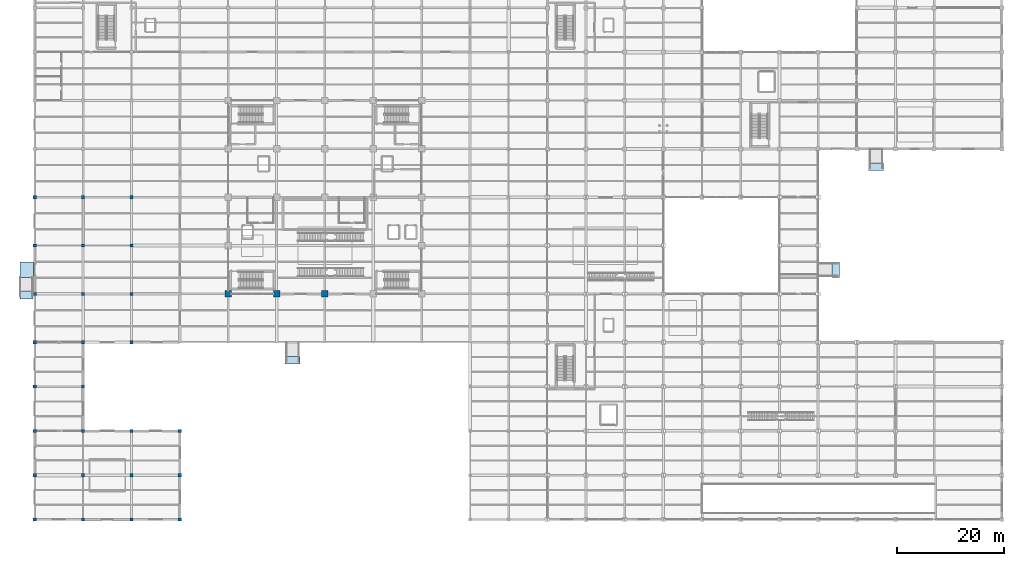
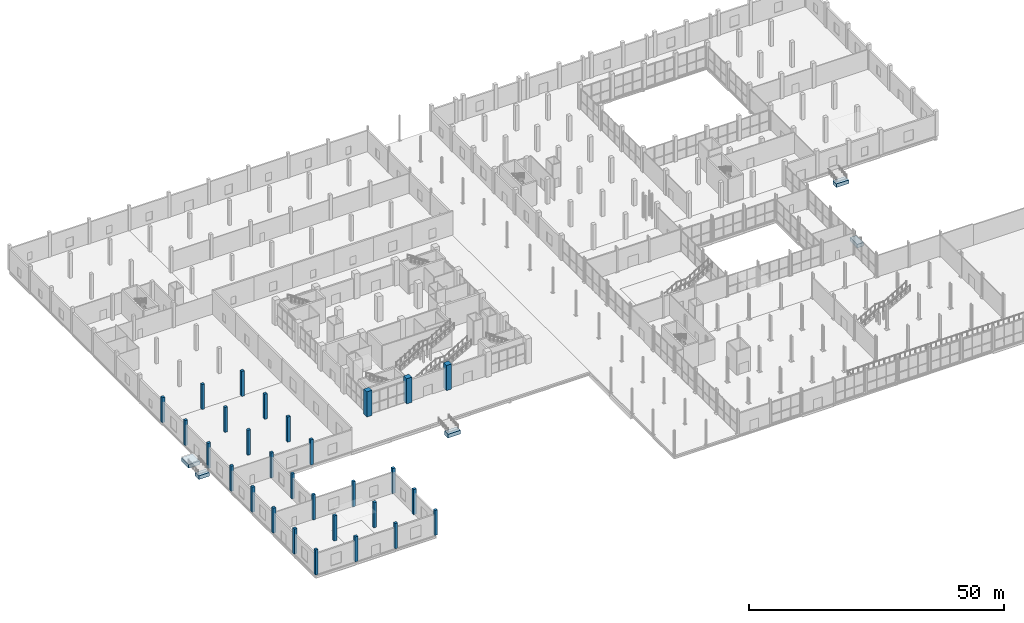
# One storey, part 1 of 144: 29 columns, 5 footings.
"""IFC4 building model written with IfcOpenShell, lengths in metres."""

from ifc_helpers import new_model, si_unit, direction, frame, origin, origin_2d, place, context, subcontext, project, spatial, rectangle, extrude, material, material_profile, profile_set, type_object, element, save


model = new_model("IFC4")

# Units and contexts
model_context = context("Model", 3, precision=1e-05, world=origin(), true_north=direction((0.0, 1.0)))
body_context = subcontext(model_context, "Body", "Model", "MODEL_VIEW")
ifc_project = project(units=[si_unit("LENGTHUNIT", "METRE"), si_unit("AREAUNIT", "SQUARE_METRE"), si_unit("VOLUMEUNIT", "CUBIC_METRE"), si_unit("PLANEANGLEUNIT", "RADIAN"), si_unit("MASSUNIT", "GRAM", prefix="KILO")], contexts=[model_context])

# Site, building, storey
site_placement = place(None, origin())
site = spatial("IfcSite", under=ifc_project, at=site_placement, CompositionType="ELEMENT")
building_placement = place(site_placement, origin())
building = spatial("IfcBuilding", under=site, at=building_placement, Name="Sundgate Opera House", CompositionType="ELEMENT")
storey_placement = place(building_placement, origin())
storey = spatial("IfcBuildingStorey", under=building, at=storey_placement, Name="L00", CompositionType="ELEMENT", Elevation=0.0)

# Footings
ifc_material_1 = material(Name="Concrete C35/45", Category="concrete")
footing_type = type_object("IfcFootingType", Name="FT-PAD-2500x2500x850", PredefinedType="PAD_FOOTING", material=ifc_material_1)
for number, where, z_axis, x_axis, name in (
    (1, (48.0, 29.699951171875, -1.380126953125), (0.0, 0.0, 1.0), (1.0, 0.0, 0.0), "South Forecourt Ramp Threshold Footing"),
    (2, (156.60009765625, 65.699951171875, -1.380126953125), (0.0, 0.0, 1.0), (1.0, 0.0, 0.0), "Conservatory Quay Ramp Threshold Footing"),
):
    element("IfcFooting", number, at=place(storey_placement, frame(where, z_axis=z_axis, x_axis=x_axis)), inside=storey, type_object=footing_type, Name=name, PredefinedType="PAD_FOOTING", context=body_context, shape_type="SweptSolid", body=[
        extrude(rectangle(XDim=2.800048828125, YDim=1.39990234375, at=origin_2d()), origin(), (0.0, 0.0, 1.0), 0.85009765625),
    ])
footing_1_placement = place(storey_placement, frame((-1.550048828125, 41.800048828125, -1.380126953125), z_axis=(0.0, 0.0, 1.0), x_axis=(1.0, 0.0, 0.0)))
element("IfcFooting", 3, at=footing_1_placement, inside=storey, type_object=footing_type, Name="West Harbour Ramp Threshold Footing", PredefinedType="PAD_FOOTING", context=body_context, shape_type="SweptSolid", body=[
    extrude(rectangle(XDim=2.39990234375, YDim=1.39990234375, at=origin_2d()), origin(), (0.0, 0.0, 1.0), 0.85009765625),
])
footing_2_placement = place(storey_placement, frame((-1.47998046875, 46.5, -1.10009765625), z_axis=(0.0, 0.0, 1.0), x_axis=(1.0, 0.0, 0.0)))
element("IfcFooting", 4, at=footing_2_placement, inside=storey, type_object=footing_type, Name="West Harbour Exit Landing Support Footing", PredefinedType="PAD_FOOTING", context=body_context, shape_type="SweptSolid", body=[
    extrude(rectangle(XDim=2.5400390625, YDim=2.800048828125, at=origin_2d()), origin(), (0.0, 0.0, 1.0), 0.85009765625),
])
footing_3_placement = place(storey_placement, frame((149.10009765625, 46.5, -1.380126953125), z_axis=(0.0, 0.0, 1.0), x_axis=(1.0, 0.0, 0.0)))
element("IfcFooting", 5, at=footing_3_placement, inside=storey, type_object=footing_type, Name="East Quay Ramp Threshold Footing", PredefinedType="PAD_FOOTING", context=body_context, shape_type="SweptSolid", body=[
    extrude(rectangle(XDim=1.39990234375, YDim=2.800048828125, at=origin_2d()), origin(), (0.0, 0.0, 1.0), 0.85009765625),
])

# Columns
ifc_material_2 = material(Name="Concrete C45/55", Category="concrete")
ifc_material_profile_1 = material_profile(ifc_material_2, rectangle(XDim=1.199951171875, YDim=1.199951171875, at=origin_2d()), Name="RC 1200x1200")
ifc_profile_set_1 = profile_set([ifc_material_profile_1], Name="Concrete C45/55")
column_type_1 = type_object("IfcColumnType", Name="CL-RC-1200", PredefinedType="COLUMN", material=ifc_profile_set_1)
for number, where, z_axis, x_axis, name in (
    (6, (36.0, 42.0, 0.0), (0.0, 0.0, 1.0), (1.0, 0.0, 0.0), "L00 Column C0221"),
    (7, (45.0, 42.0, 0.0), (0.0, 0.0, 1.0), (1.0, 0.0, 0.0), "L00 Column C0286"),
    (8, (54.0, 42.0, 0.0), (0.0, 0.0, 1.0), (1.0, 0.0, 0.0), "L00 Column C0346"),
):
    element("IfcColumn", number, at=place(storey_placement, frame(where, z_axis=z_axis, x_axis=x_axis)), inside=storey, type_object=column_type_1, Name=name, PredefinedType="COLUMN", context=body_context, shape_type="SweptSolid", body=[
        extrude(rectangle(XDim=1.199951171875, YDim=1.199951171875, at=origin_2d()), origin(), (0.0, 0.0, 1.0), 6.0),
    ])
ifc_material_3 = material(Name="Concrete C35/45", Category="concrete")
ifc_material_profile_2 = material_profile(ifc_material_3, rectangle(XDim=0.60009765625, YDim=0.60009765625, at=origin_2d()), Name="RC 600x600")
ifc_profile_set_2 = profile_set([ifc_material_profile_2], Name="Concrete C35/45")
column_type_2 = type_object("IfcColumnType", Name="CL-RC-600", PredefinedType="COLUMN", material=ifc_profile_set_2)
for number, where, z_axis, x_axis, name in (
    (9, (0.0, 0.0, 0.0), (0.0, 0.0, 1.0), (1.0, 0.0, 0.0), "L00 Column C0002"),
    (10, (0.0, 8.25, 0.0), (0.0, 0.0, 1.0), (1.0, 0.0, 0.0), "L00 Column C0005"),
    (11, (0.0, 16.5, 0.0), (0.0, 0.0, 1.0), (1.0, 0.0, 0.0), "L00 Column C0008"),
    (12, (0.0, 24.75, 0.0), (0.0, 0.0, 1.0), (1.0, 0.0, 0.0), "L00 Column C0011"),
    (13, (0.0, 33.0, 0.0), (0.0, 0.0, 1.0), (1.0, 0.0, 0.0), "L00 Column C0014"),
    (14, (0.0, 42.0, 0.0), (0.0, 0.0, 1.0), (1.0, 0.0, 0.0), "L00 Column C0017"),
    (15, (0.0, 51.0, 0.0), (0.0, 0.0, 1.0), (1.0, 0.0, 0.0), "L00 Column C0020"),
    (16, (0.0, 60.0, 0.0), (0.0, 0.0, 1.0), (1.0, 0.0, 0.0), "L00 Column C0023"),
    (17, (9.0, 0.0, 0.0), (0.0, 0.0, 1.0), (1.0, 0.0, 0.0), "L00 Column C0050"),
    (18, (9.0, 8.25, 0.0), (0.0, 0.0, 1.0), (1.0, 0.0, 0.0), "L00 Column C0053"),
    (19, (9.0, 16.5, 0.0), (0.0, 0.0, 1.0), (1.0, 0.0, 0.0), "L00 Column C0056"),
    (20, (9.0, 24.75, 0.0), (0.0, 0.0, 1.0), (1.0, 0.0, 0.0), "L00 Column C0059"),
    (21, (9.0, 33.0, 0.0), (0.0, 0.0, 1.0), (1.0, 0.0, 0.0), "L00 Column C0062"),
    (22, (9.0, 42.0, 0.0), (0.0, 0.0, 1.0), (1.0, 0.0, 0.0), "L00 Column C0065"),
    (23, (9.0, 51.0, 0.0), (0.0, 0.0, 1.0), (1.0, 0.0, 0.0), "L00 Column C0068"),
    (24, (9.0, 60.0, 0.0), (0.0, 0.0, 1.0), (1.0, 0.0, 0.0), "L00 Column C0071"),
    (25, (18.0, 0.0, 0.0), (0.0, 0.0, 1.0), (1.0, 0.0, 0.0), "L00 Column C0102"),
    (26, (18.0, 8.25, 0.0), (0.0, 0.0, 1.0), (1.0, 0.0, 0.0), "L00 Column C0105"),
    (27, (18.0, 16.5, 0.0), (0.0, 0.0, 1.0), (1.0, 0.0, 0.0), "L00 Column C0108"),
    (28, (18.0, 33.0, 0.0), (0.0, 0.0, 1.0), (1.0, 0.0, 0.0), "L00 Column C0111"),
    (29, (18.0, 42.0, 0.0), (0.0, 0.0, 1.0), (1.0, 0.0, 0.0), "L00 Column C0114"),
    (30, (18.0, 51.0, 0.0), (0.0, 0.0, 1.0), (1.0, 0.0, 0.0), "L00 Column C0117"),
    (31, (18.0, 60.0, 0.0), (0.0, 0.0, 1.0), (1.0, 0.0, 0.0), "L00 Column C0120"),
    (32, (27.0, 0.0, 0.0), (0.0, 0.0, 1.0), (1.0, 0.0, 0.0), "L00 Column C0150"),
    (33, (27.0, 8.25, 0.0), (0.0, 0.0, 1.0), (1.0, 0.0, 0.0), "L00 Column C0153"),
    (34, (27.0, 16.5, 0.0), (0.0, 0.0, 1.0), (1.0, 0.0, 0.0), "L00 Column C0156"),
):
    element("IfcColumn", number, at=place(storey_placement, frame(where, z_axis=z_axis, x_axis=x_axis)), inside=storey, type_object=column_type_2, Name=name, PredefinedType="COLUMN", context=body_context, shape_type="SweptSolid", body=[
        extrude(rectangle(XDim=0.60009765625, YDim=0.60009765625, at=origin_2d()), origin(), (0.0, 0.0, 1.0), 6.0),
    ])

save(model, "model.ifc")
